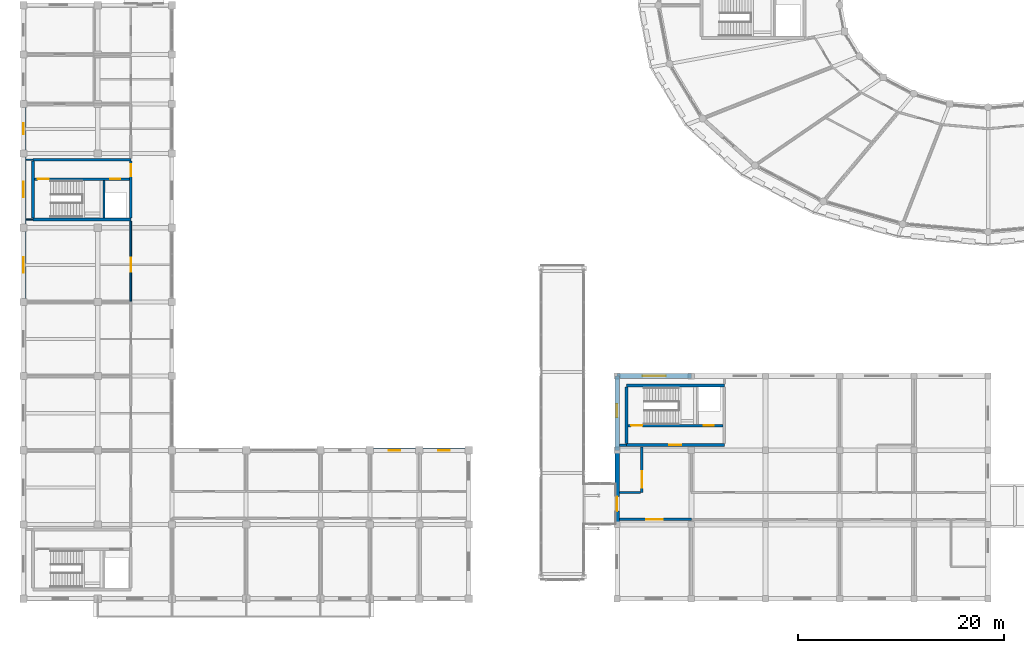
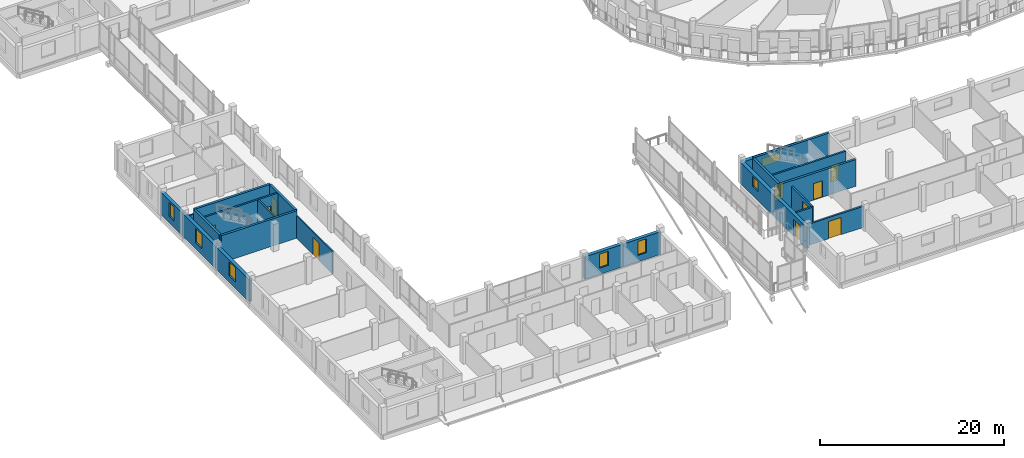
# One storey, part 108 of 128: 25 walls, 10 doors, 7 windows, 17 openings.
"""IFC4 building model written with IfcOpenShell, lengths in metres."""

from ifc_helpers import new_model, si_unit, direction, frame, frame_2d, origin, place, context, subcontext, project, spatial, rectangle, extrude, material, layer, layer_set, type_object, element, fill, save


model = new_model("IFC4")

# Units and contexts
model_context = context("Model", 3, precision=1e-05, world=origin(), true_north=direction((0.0, 1.0)))
body_context = subcontext(model_context, "Body", "Model", "MODEL_VIEW")
ifc_project = project(units=[si_unit("LENGTHUNIT", "METRE"), si_unit("AREAUNIT", "SQUARE_METRE"), si_unit("VOLUMEUNIT", "CUBIC_METRE"), si_unit("PLANEANGLEUNIT", "RADIAN"), si_unit("MASSUNIT", "GRAM", prefix="KILO")], contexts=[model_context])

# Site, building, storey
site_placement = place(None, origin())
site = spatial("IfcSite", under=ifc_project, at=site_placement, CompositionType="ELEMENT")
building_placement = place(site_placement, origin())
building = spatial("IfcBuilding", under=site, at=building_placement, Name="Zornivar Specialist Clinic", CompositionType="ELEMENT")
storey_placement = place(building_placement, frame((0.0, 0.0, 4.5)))
storey = spatial("IfcBuildingStorey", under=building, at=storey_placement, Name="L01", CompositionType="ELEMENT", Elevation=4.5)

# Wall, opening, window
ifc_material_1 = material(Name="Barium-shielded concrete C35/45", Category="concrete")
ifc_layer_1 = layer(ifc_material_1, 0.4599609375)
ifc_layer_set_1 = layer_set([ifc_layer_1], Name="Barium-shielded concrete C35/45")
wall_type_1 = type_object("IfcWallType", Name="EW-IMG-SHIELD-460", PredefinedType="SOLIDWALL", material=ifc_layer_set_1)
wall_1_placement = place(storey_placement, frame((64.800048828125, 21.60009765625, 0.0), z_axis=(0.0, 0.0, 1.0), x_axis=(-1.0, 0.0, 0.0)))
wall_1 = element("IfcWall", 1, at=wall_1_placement, inside=storey, type_object=wall_type_1, Name="ew:V3:L01:12", PredefinedType="SOLIDWALL", context=body_context, shape_type="SweptSolid", body=[
    extrude(rectangle(XDim=7.199951171875, YDim=0.4599609375, at=frame_2d((3.60009765625, 0.0))), origin(), (0.0, 0.0, 1.0), 2.830078125),
])
opening_1_placement = place(wall_1_placement, frame((2.5, 0.0, 1.199951171875)))
opening_1 = element("IfcOpeningElement", 2, at=opening_1_placement, cuts=wall_1, Name="Opening W-13", PredefinedType="OPENING", context=body_context, shape_type="SweptSolid", body=[
    extrude(rectangle(XDim=2.199951171875, YDim=1.10009765625, at=frame_2d((1.10009765625, 0.550048828125))), frame((0.0, 0.239990234375, 0.0), z_axis=(0.0, -1.0, 0.0), x_axis=(1.0, 0.0, 0.0)), (0.0, 0.0, 1.0), 0.47998046875),
])
ifc_material_2 = material(Name="Triple-Glazed Aluminium-Timber Window Glass", Category="wood")
window_type_1 = type_object("IfcWindowType", Name="WIN-IMG-CLER-2200x1100", PartitioningType="SINGLE_PANEL", PredefinedType="WINDOW", material=ifc_material_2)
window_1_placement = place(opening_1_placement, origin())
window_1 = element("IfcWindow", 3, at=window_1_placement, inside=storey, type_object=window_type_1, Name="win:V3:L01:12", OverallHeight=1.10009765625, OverallWidth=2.199951171875, PartitioningType="SINGLE_PANEL", PredefinedType="WINDOW", context=body_context, shape_type="SweptSolid", body=[
    extrude(rectangle(XDim=2.199951171875, YDim=1.10009765625, at=frame_2d((1.10009765625, 0.550048828125))), frame((0.0, 0.030029296875, 0.0), z_axis=(0.0, -1.0, 0.0), x_axis=(1.0, 0.0, 0.0)), (0.0, 0.0, 1.0), 0.06005859375),
])
fill(opening_1, window_1)

wall_2_placement = place(storey_placement, frame((57.60009765625, 21.60009765625, 0.0), z_axis=(0.0, 0.0, 1.0), x_axis=(0.0, -1.0, 0.0)))
wall_2 = element("IfcWall", 4, at=wall_2_placement, inside=storey, type_object=wall_type_1, Name="ew:V3:L01:13", PredefinedType="SOLIDWALL", context=body_context, shape_type="SweptSolid", body=[
    extrude(rectangle(XDim=7.2001953125, YDim=0.4599609375, at=frame_2d((3.60009765625, 0.0))), origin(), (0.0, 0.0, 1.0), 2.830078125),
])
opening_2_placement = place(wall_2_placement, frame((2.72509765625, 0.0, 1.199951171875)))
opening_2 = element("IfcOpeningElement", 5, at=opening_2_placement, cuts=wall_2, Name="Opening W-14", PredefinedType="OPENING", context=body_context, shape_type="SweptSolid", body=[
    extrude(rectangle(XDim=1.25, YDim=1.35009765625, at=frame_2d((0.625, 0.675048828125))), frame((0.0, 0.239990234375, 0.0), z_axis=(0.0, -1.0, 0.0), x_axis=(1.0, 0.0, 0.0)), (0.0, 0.0, 1.0), 0.47998046875),
])
ifc_material_3 = material(Name="Triple-Glazed Aluminium-Timber Window Glass", Category="wood")
window_type_2 = type_object("IfcWindowType", Name="WIN-IMG-CTRL-1250x1350", PartitioningType="SINGLE_PANEL", PredefinedType="WINDOW", material=ifc_material_3)
window_2_placement = place(opening_2_placement, origin())
window_2 = element("IfcWindow", 6, at=window_2_placement, inside=storey, type_object=window_type_2, Name="win:V3:L01:13", OverallHeight=1.35009765625, OverallWidth=1.25, PartitioningType="SINGLE_PANEL", PredefinedType="WINDOW", context=body_context, shape_type="SweptSolid", body=[
    extrude(rectangle(XDim=1.25, YDim=1.35009765625, at=frame_2d((0.625, 0.675048828125))), frame((0.0, 0.030029296875, 0.0), z_axis=(0.0, -1.0, 0.0), x_axis=(1.0, 0.0, 0.0)), (0.0, 0.0, 1.0), 0.06005859375),
])
fill(opening_2, window_2)

# Wall, opening, door
wall_3_placement = place(storey_placement, frame((57.60009765625, 14.39990234375, 0.0), z_axis=(0.0, 0.0, 1.0), x_axis=(0.0, -1.0, 0.0)))
wall_3 = element("IfcWall", 7, at=wall_3_placement, inside=storey, type_object=wall_type_1, Name="ew:V3:L01:14", PredefinedType="SOLIDWALL", context=body_context, shape_type="SweptSolid", body=[
    extrude(rectangle(XDim=7.199951171875, YDim=0.4599609375, at=frame_2d((3.60009765625, 0.0))), origin(), (0.0, 0.0, 1.0), 2.830078125),
])
opening_3_placement = place(wall_3_placement, frame((4.5, 0.0, 0.0)))
opening_3 = element("IfcOpeningElement", 8, at=opening_3_placement, cuts=wall_3, Name="Opening TD-01", PredefinedType="OPENING", context=body_context, shape_type="SweptSolid", body=[
    extrude(rectangle(XDim=1.39990234375, YDim=2.25, at=frame_2d((0.699951171875, 1.125))), frame((0.0, 0.239990234375, 0.0), z_axis=(0.0, -1.0, 0.0), x_axis=(1.0, 0.0, 0.0)), (0.0, 0.0, 1.0), 0.47998046875),
])
ifc_material_4 = material(Name="Thermally Broken Glazed Aluminium Door", Category="aluminium")
door_type_1 = type_object("IfcDoorType", Name="TD-TERR-1400x2250", OperationType="NOTDEFINED", PredefinedType="DOOR", material=ifc_material_4)
door_1_placement = place(opening_3_placement, origin())
door_1 = element("IfcDoor", 9, at=door_1_placement, inside=storey, type_object=door_type_1, Name="door:V3:L01:br1", OperationType="SINGLE_SWING_RIGHT", OverallHeight=2.25, OverallWidth=1.39990234375, PredefinedType="DOOR", context=body_context, shape_type="SweptSolid", body=[
    extrude(rectangle(XDim=1.39990234375, YDim=2.25, at=frame_2d((0.699951171875, 1.125))), frame((0.0, 0.02490234375, 0.0), z_axis=(0.0, -1.0, 0.0), x_axis=(1.0, 0.0, 0.0)), (0.0, 0.0, 1.0), 0.050048828125),
])
fill(opening_3, door_1)

# Wall, opening, window
ifc_material_5 = material(Name="Masonry Vratsa Limestone Ashlar Cavity Wall", Category="masonry")
ifc_layer_2 = layer(ifc_material_5, 0.419921875)
ifc_layer_set_2 = layer_set([ifc_layer_2], Name="Masonry Vratsa Limestone Ashlar Cavity Wall")
wall_type_2 = type_object("IfcWallType", Name="EW-LIMESTONE-420", PredefinedType="SOLIDWALL", material=ifc_layer_set_2)
wall_4_placement = place(storey_placement, frame((43.199951171875, 14.39990234375, 0.0), z_axis=(0.0, 0.0, 1.0), x_axis=(-1.0, 0.0, 0.0)))
wall_4 = element("IfcWall", 10, at=wall_4_placement, inside=storey, type_object=wall_type_2, Name="ew:V2:L01:09", PredefinedType="SOLIDWALL", context=body_context, shape_type="SweptSolid", body=[
    extrude(rectangle(XDim=4.800048828125, YDim=0.419921875, at=frame_2d((2.39990234375, 0.0))), origin(), (0.0, 0.0, 1.0), 3.0),
])
opening_4_placement = place(wall_4_placement, frame((1.85009765625, 0.0, 0.85009765625)))
opening_4 = element("IfcOpeningElement", 11, at=opening_4_placement, cuts=wall_4, Name="Opening W-07", PredefinedType="OPENING", context=body_context, shape_type="SweptSolid", body=[
    extrude(rectangle(XDim=1.10009765625, YDim=1.85009765625, at=frame_2d((0.550048828125, 0.925048828125))), frame((0.0, 0.219970703125, 0.0), z_axis=(0.0, -1.0, 0.0), x_axis=(1.0, 0.0, 0.0)), (0.0, 0.0, 1.0), 0.43994140625),
])
ifc_material_6 = material(Name="Triple-Glazed Aluminium-Timber Window Glass", Category="wood")
window_type_3 = type_object("IfcWindowType", Name="WIN-OUTP-PIER-1100x1850", PartitioningType="SINGLE_PANEL", PredefinedType="WINDOW", material=ifc_material_6)
window_3_placement = place(opening_4_placement, origin())
window_3 = element("IfcWindow", 12, at=window_3_placement, inside=storey, type_object=window_type_3, Name="win:V2:L01:09", OverallHeight=1.85009765625, OverallWidth=1.10009765625, PartitioningType="SINGLE_PANEL", PredefinedType="WINDOW", context=body_context, shape_type="SweptSolid", body=[
    extrude(rectangle(XDim=1.10009765625, YDim=1.85009765625, at=frame_2d((0.550048828125, 0.925048828125))), frame((0.0, 0.030029296875, 0.0), z_axis=(0.0, -1.0, 0.0), x_axis=(1.0, 0.0, 0.0)), (0.0, 0.0, 1.0), 0.06005859375),
])
fill(opening_4, window_3)

wall_5_placement = place(storey_placement, frame((38.39990234375, 14.39990234375, 0.0), z_axis=(0.0, 0.0, 1.0), x_axis=(-1.0, 0.0, 0.0)))
wall_5 = element("IfcWall", 13, at=wall_5_placement, inside=storey, type_object=wall_type_2, Name="ew:V2:L01:10", PredefinedType="SOLIDWALL", context=body_context, shape_type="SweptSolid", body=[
    extrude(rectangle(XDim=4.7998046875, YDim=0.419921875, at=frame_2d((2.39990234375, 0.0))), origin(), (0.0, 0.0, 1.0), 3.0),
])
opening_5_placement = place(wall_5_placement, frame((1.85009765625, 0.0, 0.85009765625)))
opening_5 = element("IfcOpeningElement", 14, at=opening_5_placement, cuts=wall_5, Name="Opening W-07", PredefinedType="OPENING", context=body_context, shape_type="SweptSolid", body=[
    extrude(rectangle(XDim=1.10009765625, YDim=1.85009765625, at=frame_2d((0.550048828125, 0.925048828125))), frame((0.0, 0.219970703125, 0.0), z_axis=(0.0, -1.0, 0.0), x_axis=(1.0, 0.0, 0.0)), (0.0, 0.0, 1.0), 0.43994140625),
])
window_4_placement = place(opening_5_placement, origin())
window_4 = element("IfcWindow", 15, at=window_4_placement, inside=storey, type_object=window_type_3, Name="win:V2:L01:10", OverallHeight=1.85009765625, OverallWidth=1.10009765625, PartitioningType="SINGLE_PANEL", PredefinedType="WINDOW", context=body_context, shape_type="SweptSolid", body=[
    extrude(rectangle(XDim=1.10009765625, YDim=1.85009765625, at=frame_2d((0.550048828125, 0.925048828125))), frame((0.0, 0.030029296875, 0.0), z_axis=(0.0, -1.0, 0.0), x_axis=(1.0, 0.0, 0.0)), (0.0, 0.0, 1.0), 0.06005859375),
])
fill(opening_5, window_4)

wall_6_placement = place(storey_placement, frame((0.0, 48.0, 0.0), z_axis=(0.0, 0.0, 1.0), x_axis=(0.0, -1.0, 0.0)))
wall_6 = element("IfcWall", 16, at=wall_6_placement, inside=storey, type_object=wall_type_2, Name="ew:V2:L01:25", PredefinedType="SOLIDWALL", context=body_context, shape_type="SweptSolid", body=[
    extrude(rectangle(XDim=4.800048828125, YDim=0.419921875, at=frame_2d((2.39990234375, 0.0))), origin(), (0.0, 0.0, 1.0), 3.0),
])
opening_6_placement = place(wall_6_placement, frame((1.85009765625, 0.0, 0.85009765625)))
opening_6 = element("IfcOpeningElement", 17, at=opening_6_placement, cuts=wall_6, Name="Opening W-07", PredefinedType="OPENING", context=body_context, shape_type="SweptSolid", body=[
    extrude(rectangle(XDim=1.10009765625, YDim=1.85009765625, at=frame_2d((0.550048828125, 0.925048828125))), frame((0.0, 0.219970703125, 0.0), z_axis=(0.0, -1.0, 0.0), x_axis=(1.0, 0.0, 0.0)), (0.0, 0.0, 1.0), 0.43994140625),
])
window_5_placement = place(opening_6_placement, origin())
window_5 = element("IfcWindow", 18, at=window_5_placement, inside=storey, type_object=window_type_3, Name="win:V2:L01:25", OverallHeight=1.85009765625, OverallWidth=1.10009765625, PartitioningType="SINGLE_PANEL", PredefinedType="WINDOW", context=body_context, shape_type="SweptSolid", body=[
    extrude(rectangle(XDim=1.10009765625, YDim=1.85009765625, at=frame_2d((0.550048828125, 0.925048828125))), frame((0.0, 0.030029296875, 0.0), z_axis=(0.0, -1.0, 0.0), x_axis=(1.0, 0.0, 0.0)), (0.0, 0.0, 1.0), 0.06005859375),
])
fill(opening_6, window_5)

wall_7_placement = place(storey_placement, frame((0.0, 43.199951171875, 0.0), z_axis=(0.0, 0.0, 1.0), x_axis=(0.0, -1.0, 0.0)))
wall_7 = element("IfcWall", 19, at=wall_7_placement, inside=storey, type_object=wall_type_2, Name="ew:V2:L01:26", PredefinedType="SOLIDWALL", context=body_context, shape_type="SweptSolid", body=[
    extrude(rectangle(XDim=7.199951171875, YDim=0.419921875, at=frame_2d((3.60009765625, 0.0))), origin(), (0.0, 0.0, 1.0), 3.0),
])
opening_7_placement = place(wall_7_placement, frame((2.75, 0.0, 0.85009765625)))
opening_7 = element("IfcOpeningElement", 20, at=opening_7_placement, cuts=wall_7, Name="Opening W-05", PredefinedType="OPENING", context=body_context, shape_type="SweptSolid", body=[
    extrude(rectangle(XDim=1.5, YDim=1.89990234375, at=frame_2d((0.75, 0.949951171875))), frame((0.0, 0.219970703125, 0.0), z_axis=(0.0, -1.0, 0.0), x_axis=(1.0, 0.0, 0.0)), (0.0, 0.0, 1.0), 0.43994140625),
])
ifc_material_7 = material(Name="Triple-Glazed Aluminium-Timber Window Glass", Category="wood")
window_type_4 = type_object("IfcWindowType", Name="WIN-OUTP-STREET-1500x1900", PartitioningType="SINGLE_PANEL", PredefinedType="WINDOW", material=ifc_material_7)
window_6_placement = place(opening_7_placement, origin())
window_6 = element("IfcWindow", 21, at=window_6_placement, inside=storey, type_object=window_type_4, Name="win:V2:L01:26", OverallHeight=1.89990234375, OverallWidth=1.5, PartitioningType="SINGLE_PANEL", PredefinedType="WINDOW", context=body_context, shape_type="SweptSolid", body=[
    extrude(rectangle(XDim=1.5, YDim=1.89990234375, at=frame_2d((0.75, 0.949951171875))), frame((0.0, 0.030029296875, 0.0), z_axis=(0.0, -1.0, 0.0), x_axis=(1.0, 0.0, 0.0)), (0.0, 0.0, 1.0), 0.06005859375),
])
fill(opening_7, window_6)

wall_8_placement = place(storey_placement, frame((0.0, 36.0, 0.0), z_axis=(0.0, 0.0, 1.0), x_axis=(0.0, -1.0, 0.0)))
wall_8 = element("IfcWall", 22, at=wall_8_placement, inside=storey, type_object=wall_type_2, Name="ew:V2:L01:27", PredefinedType="SOLIDWALL", context=body_context, shape_type="SweptSolid", body=[
    extrude(rectangle(XDim=7.199951171875, YDim=0.419921875, at=frame_2d((3.60009765625, 0.0))), origin(), (0.0, 0.0, 1.0), 3.0),
])
opening_8_placement = place(wall_8_placement, frame((2.85009765625, 0.0, 0.85009765625)))
opening_8 = element("IfcOpeningElement", 23, at=opening_8_placement, cuts=wall_8, Name="Opening W-05", PredefinedType="OPENING", context=body_context, shape_type="SweptSolid", body=[
    extrude(rectangle(XDim=1.5, YDim=1.89990234375, at=frame_2d((0.75, 0.949951171875))), frame((0.0, 0.219970703125, 0.0), z_axis=(0.0, -1.0, 0.0), x_axis=(1.0, 0.0, 0.0)), (0.0, 0.0, 1.0), 0.43994140625),
])
window_7_placement = place(opening_8_placement, origin())
window_7 = element("IfcWindow", 24, at=window_7_placement, inside=storey, type_object=window_type_4, Name="win:V2:L01:27", OverallHeight=1.89990234375, OverallWidth=1.5, PartitioningType="SINGLE_PANEL", PredefinedType="WINDOW", context=body_context, shape_type="SweptSolid", body=[
    extrude(rectangle(XDim=1.5, YDim=1.89990234375, at=frame_2d((0.75, 0.949951171875))), frame((0.0, 0.030029296875, 0.0), z_axis=(0.0, -1.0, 0.0), x_axis=(1.0, 0.0, 0.0)), (0.0, 0.0, 1.0), 0.06005859375),
])
fill(opening_8, window_7)

# Wall
ifc_material_8 = material(Name="Acoustic Clinical Stud Partition")
ifc_layer_3 = layer(ifc_material_8, 0.139892578125)
ifc_layer_set_3 = layer_set([ifc_layer_3], Name="Acoustic Clinical Stud Partition")
wall_type_3 = type_object("IfcWallType", Name="IW-CLIN-140", PredefinedType="PARTITIONING", material=ifc_layer_set_3)
wall_9_placement = place(storey_placement, frame((0.89990234375, 42.60009765625, 0.0), z_axis=(0.0, 0.0, 1.0), x_axis=(-1.0, 0.0, 0.0)))
element("IfcWall", 25, at=wall_9_placement, inside=storey, type_object=wall_type_3, Name="iw:L01:061", PredefinedType="PARTITIONING", context=body_context, shape_type="SweptSolid", body=[
    extrude(rectangle(XDim=0.6748046875, YDim=0.139892578125, at=frame_2d((0.33740234375, 0.0))), origin(), (0.0, 0.0, 1.0), 2.97998046875),
])

# Wall, opening, door
ifc_material_9 = material(Name="Gypsum Fire-Rated Double Stud Partition")
ifc_layer_4 = layer(ifc_material_9, 0.159912109375)
ifc_layer_set_4 = layer_set([ifc_layer_4], Name="Gypsum Fire-Rated Double Stud Partition")
wall_type_4 = type_object("IfcWallType", Name="IW-CORR-EI60-160", PredefinedType="PARTITIONING", material=ifc_layer_set_4)
wall_10_placement = place(storey_placement, frame((10.39990234375, 36.64501953125, 0.0), z_axis=(0.0, 0.0, 1.0), x_axis=(0.0, -1.0, 0.0)))
wall_10 = element("IfcWall", 26, at=wall_10_placement, inside=storey, type_object=wall_type_4, Name="iw:L01:058", PredefinedType="PARTITIONING", context=body_context, shape_type="SweptSolid", body=[
    extrude(rectangle(XDim=7.77099609375, YDim=0.159912109375, at=frame_2d((3.885498046875, 0.0))), origin(), (0.0, 0.0, 1.0), 2.97998046875),
])
opening_9_placement = place(wall_10_placement, frame((3.5380859375, 0.0, 0.0)))
opening_9 = element("IfcOpeningElement", 27, at=opening_9_placement, cuts=wall_10, Name="Opening ID-12", PredefinedType="OPENING", context=body_context, shape_type="SweptSolid", body=[
    extrude(rectangle(XDim=1.39990234375, YDim=2.300048828125, at=frame_2d((0.699951171875, 1.14990234375))), frame((0.0, 0.08984375, 0.0), z_axis=(0.0, -1.0, 0.0), x_axis=(1.0, 0.0, 0.0)), (0.0, 0.0, 1.0), 0.179931640625),
])
ifc_material_10 = material(Name="Solid-Core Hygienic Laminate Timber Door", Category="wood")
door_type_2 = type_object("IfcDoorType", Name="ID-WAIT-1400x2300", OperationType="NOTDEFINED", PredefinedType="DOOR", material=ifc_material_10)
door_2_placement = place(opening_9_placement, origin())
door_2 = element("IfcDoor", 28, at=door_2_placement, inside=storey, type_object=door_type_2, Name="door:space:V2:L01:rm:03", OperationType="DOUBLE_DOOR_SINGLE_SWING", OverallHeight=2.300048828125, OverallWidth=1.39990234375, PredefinedType="DOOR", context=body_context, shape_type="SweptSolid", body=[
    extrude(rectangle(XDim=1.39990234375, YDim=2.300048828125, at=frame_2d((0.699951171875, 1.14990234375))), frame((0.0, 0.02490234375, 0.0), z_axis=(0.0, -1.0, 0.0), x_axis=(1.0, 0.0, 0.0)), (0.0, 0.0, 1.0), 0.050048828125),
])
fill(opening_9, door_2)

# Wall
ifc_material_11 = material(Name="Acoustic Glazed Consultation Partition")
ifc_layer_5 = layer(ifc_material_11, 0.1201171875)
ifc_layer_set_5 = layer_set([ifc_layer_5], Name="Acoustic Glazed Consultation Partition")
wall_type_5 = type_object("IfcWallType", Name="IW-GLAZ-120", PredefinedType="PARTITIONING", material=ifc_layer_set_5)
wall_11_placement = place(storey_placement, frame((0.22509765625, 36.800048828125, 0.0), z_axis=(0.0, 0.0, 1.0), x_axis=(1.0, 0.0, 0.0)))
element("IfcWall", 29, at=wall_11_placement, inside=storey, type_object=wall_type_5, Name="iw:L01:059", PredefinedType="PARTITIONING", context=body_context, shape_type="SweptSolid", body=[
    extrude(rectangle(XDim=0.6748046875, YDim=0.1201171875, at=frame_2d((0.33740234375, 0.0))), origin(), (0.0, 0.0, 1.0), 2.97998046875),
])

# Wall, opening, door
ifc_material_12 = material(Name="Barium-Plaster Shielded Diagnostic Partition")
ifc_layer_6 = layer(ifc_material_12, 0.22998046875)
ifc_layer_set_6 = layer_set([ifc_layer_6], Name="Barium-Plaster Shielded Diagnostic Partition")
wall_type_6 = type_object("IfcWallType", Name="IW-IMG-LEAD-230", PredefinedType="PARTITIONING", material=ifc_layer_set_6)
wall_12_placement = place(storey_placement, frame((57.844970703125, 7.699951171875, 0.0), z_axis=(0.0, 0.0, 1.0), x_axis=(1.0, 0.0, 0.0)))
wall_12 = element("IfcWall", 30, at=wall_12_placement, inside=storey, type_object=wall_type_6, Name="iw:L01:091", PredefinedType="PARTITIONING", context=body_context, shape_type="SweptSolid", body=[
    extrude(rectangle(XDim=6.955078125, YDim=0.22998046875, at=frame_2d((3.4775390625, 0.0))), origin(), (0.0, 0.0, 1.0), 2.81005859375),
])
opening_10_placement = place(wall_12_placement, frame((2.56201171875, 0.0, 0.0)))
opening_10 = element("IfcOpeningElement", 31, at=opening_10_placement, cuts=wall_12, Name="Opening ID-02", PredefinedType="OPENING", context=body_context, shape_type="SweptSolid", body=[
    extrude(rectangle(XDim=1.60009765625, YDim=2.300048828125, at=frame_2d((0.800048828125, 1.14990234375))), frame((0.0, 0.125, 0.0), z_axis=(0.0, -1.0, 0.0), x_axis=(1.0, 0.0, 0.0)), (0.0, 0.0, 1.0), 0.25),
])
ifc_material_13 = material(Name="Solid-Core Hygienic Laminate Timber Door", Category="wood")
door_type_3 = type_object("IfcDoorType", Name="ID-IMG-1600x2300", OperationType="NOTDEFINED", PredefinedType="DOOR", material=ifc_material_13)
door_3_placement = place(opening_10_placement, origin())
door_3 = element("IfcDoor", 32, at=door_3_placement, inside=storey, type_object=door_type_3, Name="door:space:V3:L01:rm:00", OperationType="DOUBLE_DOOR_SINGLE_SWING", OverallHeight=2.300048828125, OverallWidth=1.60009765625, PredefinedType="DOOR", context=body_context, shape_type="SweptSolid", body=[
    extrude(rectangle(XDim=1.60009765625, YDim=2.300048828125, at=frame_2d((0.800048828125, 1.14990234375))), frame((0.0, 0.02490234375, 0.0), z_axis=(0.0, -1.0, 0.0), x_axis=(1.0, 0.0, 0.0)), (0.0, 0.0, 1.0), 0.050048828125),
])
fill(opening_10, door_3)

# Wall
wall_13_placement = place(storey_placement, frame((57.844970703125, 14.89990234375, 0.0), z_axis=(0.0, 0.0, 1.0), x_axis=(1.0, 0.0, 0.0)))
element("IfcWall", 33, at=wall_13_placement, inside=storey, type_object=wall_type_6, Name="iw:L01:093", PredefinedType="PARTITIONING", context=body_context, shape_type="SweptSolid", body=[
    extrude(rectangle(XDim=0.655029296875, YDim=0.22998046875, at=frame_2d((0.32763671875, 0.0))), origin(), (0.0, 0.0, 1.0), 2.81005859375),
])

# Wall, opening, door
wall_14_placement = place(storey_placement, frame((60.0, 14.7451171875, 0.0), z_axis=(0.0, 0.0, 1.0), x_axis=(0.0, -1.0, 0.0)))
wall_14 = element("IfcWall", 34, at=wall_14_placement, inside=storey, type_object=wall_type_6, Name="iw:L01:094", PredefinedType="PARTITIONING", context=body_context, shape_type="SweptSolid", body=[
    extrude(rectangle(XDim=4.445068359375, YDim=0.22998046875, at=frame_2d((2.22265625, 0.0))), origin(), (0.0, 0.0, 1.0), 2.81005859375),
])
opening_11_placement = place(wall_14_placement, frame((2.364990234375, 0.0, 0.0)))
opening_11 = element("IfcOpeningElement", 35, at=opening_11_placement, cuts=wall_14, Name="Opening ID-02", PredefinedType="OPENING", context=body_context, shape_type="SweptSolid", body=[
    extrude(rectangle(XDim=1.60009765625, YDim=2.300048828125, at=frame_2d((0.800048828125, 1.14990234375))), frame((0.0, 0.125, 0.0), z_axis=(0.0, -1.0, 0.0), x_axis=(1.0, 0.0, 0.0)), (0.0, 0.0, 1.0), 0.25),
])
door_4_placement = place(opening_11_placement, origin())
door_4 = element("IfcDoor", 36, at=door_4_placement, inside=storey, type_object=door_type_3, Name="door:space:V3:L01:rm:01", OperationType="DOUBLE_DOOR_SINGLE_SWING", OverallHeight=2.300048828125, OverallWidth=1.60009765625, PredefinedType="DOOR", context=body_context, shape_type="SweptSolid", body=[
    extrude(rectangle(XDim=1.60009765625, YDim=2.300048828125, at=frame_2d((0.800048828125, 1.14990234375))), frame((0.0, 0.02490234375, 0.0), z_axis=(0.0, -1.0, 0.0), x_axis=(1.0, 0.0, 0.0)), (0.0, 0.0, 1.0), 0.050048828125),
])
fill(opening_11, door_4)

# Walls
wall_15_placement = place(storey_placement, frame((59.87109375, 10.300048828125, 0.0), z_axis=(0.0, 0.0, 1.0), x_axis=(-1.0, 0.0, 0.0)))
element("IfcWall", 37, at=wall_15_placement, inside=storey, type_object=wall_type_6, Name="iw:L01:095", PredefinedType="PARTITIONING", context=body_context, shape_type="SweptSolid", body=[
    extrude(rectangle(XDim=2.026123046875, YDim=0.22998046875, at=frame_2d((1.01318359375, 0.0))), origin(), (0.0, 0.0, 1.0), 2.81005859375),
])
ifc_material_14 = material(Name="Concrete C35/45", Category="concrete")
ifc_layer_7 = layer(ifc_material_14, 0.280029296875)
ifc_layer_set_7 = layer_set([ifc_layer_7], Name="Concrete C35/45")
wall_type_7 = type_object("IfcWallType", Name="SW-CORE-280", PredefinedType="SHEAR", material=ifc_layer_set_7)
wall_16_placement = place(storey_placement, frame((0.89990234375, 36.800048828125, 0.0), z_axis=(0.0, 0.0, 1.0), x_axis=(1.0, 0.0, 0.0)))
element("IfcWall", 38, at=wall_16_placement, inside=storey, type_object=wall_type_7, Name="sw:C2:L01:w0", PredefinedType="SHEAR", context=body_context, shape_type="SweptSolid", body=[
    extrude(rectangle(XDim=9.5, YDim=0.280029296875, at=frame_2d((4.75, 0.0))), origin(), (0.0, 0.0, 1.0), 3.6201171875),
])

# Wall, opening, door
wall_17_placement = place(storey_placement, frame((10.39990234375, 36.93994140625, 0.0), z_axis=(0.0, 0.0, 1.0), x_axis=(0.0, 1.0, 0.0)))
wall_17 = element("IfcWall", 39, at=wall_17_placement, inside=storey, type_object=wall_type_7, Name="sw:C2:L01:w1", PredefinedType="SHEAR", context=body_context, shape_type="SweptSolid", body=[
    extrude(rectangle(XDim=5.52001953125, YDim=0.280029296875, at=frame_2d((2.760009765625, 0.0))), origin(), (0.0, 0.0, 1.0), 3.6201171875),
])
opening_12_placement = place(wall_17_placement, frame((4.050048828125, 0.0, 0.0)))
opening_12 = element("IfcOpeningElement", 40, at=opening_12_placement, cuts=wall_17, Name="Opening FD-03", PredefinedType="OPENING", context=body_context, shape_type="SweptSolid", body=[
    extrude(rectangle(XDim=1.14990234375, YDim=2.199951171875, at=frame_2d((0.574951171875, 1.10009765625))), frame((0.0, 0.14990234375, 0.0), z_axis=(0.0, -1.0, 0.0), x_axis=(1.0, 0.0, 0.0)), (0.0, 0.0, 1.0), 0.300048828125),
])
ifc_material_15 = material(Name="Solid-Core Hygienic Laminate Timber Door", Category="wood")
door_type_4 = type_object("IfcDoorType", Name="FD-LOBBY-UPPER-1150x2200", OperationType="NOTDEFINED", PredefinedType="DOOR", material=ifc_material_15)
door_5_placement = place(opening_12_placement, origin())
door_5 = element("IfcDoor", 41, at=door_5_placement, inside=storey, type_object=door_type_4, Name="door:C2:L01:lob", OperationType="SINGLE_SWING_RIGHT", OverallHeight=2.199951171875, OverallWidth=1.14990234375, PredefinedType="DOOR", context=body_context, shape_type="SweptSolid", body=[
    extrude(rectangle(XDim=1.14990234375, YDim=2.199951171875, at=frame_2d((0.574951171875, 1.10009765625))), frame((0.0, 0.02490234375, 0.0), z_axis=(0.0, -1.0, 0.0), x_axis=(1.0, 0.0, 0.0)), (0.0, 0.0, 1.0), 0.050048828125),
])
fill(opening_12, door_5)

# Walls
wall_18_placement = place(storey_placement, frame((10.39990234375, 42.60009765625, 0.0), z_axis=(0.0, 0.0, 1.0), x_axis=(-1.0, 0.0, 0.0)))
element("IfcWall", 42, at=wall_18_placement, inside=storey, type_object=wall_type_7, Name="sw:C2:L01:w2", PredefinedType="SHEAR", context=body_context, shape_type="SweptSolid", body=[
    extrude(rectangle(XDim=9.5, YDim=0.280029296875, at=frame_2d((4.75, 0.0))), origin(), (0.0, 0.0, 1.0), 3.6201171875),
])
wall_19_placement = place(storey_placement, frame((0.89990234375, 42.4599609375, 0.0), z_axis=(0.0, 0.0, 1.0), x_axis=(0.0, -1.0, 0.0)))
element("IfcWall", 43, at=wall_19_placement, inside=storey, type_object=wall_type_7, Name="sw:C2:L01:w3", PredefinedType="SHEAR", context=body_context, shape_type="SweptSolid", body=[
    extrude(rectangle(XDim=5.52001953125, YDim=0.280029296875, at=frame_2d((2.760009765625, 0.0))), origin(), (0.0, 0.0, 1.0), 3.6201171875),
])

# Wall, opening, door
wall_20_placement = place(storey_placement, frame((58.5, 14.89990234375, 0.0), z_axis=(0.0, 0.0, 1.0), x_axis=(1.0, 0.0, 0.0)))
wall_20 = element("IfcWall", 44, at=wall_20_placement, inside=storey, type_object=wall_type_7, Name="sw:C5:L01:w0", PredefinedType="SHEAR", context=body_context, shape_type="SweptSolid", body=[
    extrude(rectangle(XDim=9.5, YDim=0.280029296875, at=frame_2d((4.75, 0.0))), origin(), (0.0, 0.0, 1.0), 3.550048828125),
])
opening_13_placement = place(wall_20_placement, frame((4.175048828125, 0.0, 0.0)))
opening_13 = element("IfcOpeningElement", 45, at=opening_13_placement, cuts=wall_20, Name="Opening FD-03", PredefinedType="OPENING", context=body_context, shape_type="SweptSolid", body=[
    extrude(rectangle(XDim=1.14990234375, YDim=2.199951171875, at=frame_2d((0.574951171875, 1.10009765625))), frame((0.0, 0.14990234375, 0.0), z_axis=(0.0, -1.0, 0.0), x_axis=(1.0, 0.0, 0.0)), (0.0, 0.0, 1.0), 0.300048828125),
])
door_6_placement = place(opening_13_placement, origin())
door_6 = element("IfcDoor", 46, at=door_6_placement, inside=storey, type_object=door_type_4, Name="door:C5:L01:lob", OperationType="SINGLE_SWING_RIGHT", OverallHeight=2.199951171875, OverallWidth=1.14990234375, PredefinedType="DOOR", context=body_context, shape_type="SweptSolid", body=[
    extrude(rectangle(XDim=1.14990234375, YDim=2.199951171875, at=frame_2d((0.574951171875, 1.10009765625))), frame((0.0, 0.02490234375, 0.0), z_axis=(0.0, -1.0, 0.0), x_axis=(1.0, 0.0, 0.0)), (0.0, 0.0, 1.0), 0.050048828125),
])
fill(opening_13, door_6)

# Walls
wall_21_placement = place(storey_placement, frame((68.0, 20.699951171875, 0.0), z_axis=(0.0, 0.0, 1.0), x_axis=(-1.0, 0.0, 0.0)))
element("IfcWall", 47, at=wall_21_placement, inside=storey, type_object=wall_type_7, Name="sw:C5:L01:w2", PredefinedType="SHEAR", context=body_context, shape_type="SweptSolid", body=[
    extrude(rectangle(XDim=9.5, YDim=0.280029296875, at=frame_2d((4.75, 0.0))), origin(), (0.0, 0.0, 1.0), 3.550048828125),
])
wall_22_placement = place(storey_placement, frame((58.5, 20.56005859375, 0.0), z_axis=(0.0, 0.0, 1.0), x_axis=(0.0, -1.0, 0.0)))
element("IfcWall", 48, at=wall_22_placement, inside=storey, type_object=wall_type_7, Name="sw:C5:L01:w3", PredefinedType="SHEAR", context=body_context, shape_type="SweptSolid", body=[
    extrude(rectangle(XDim=5.52001953125, YDim=0.280029296875, at=frame_2d((2.760009765625, 0.0))), origin(), (0.0, 0.0, 1.0), 3.550048828125),
])
ifc_material_16 = material(Name="Concrete C30/37", Category="concrete")
ifc_layer_8 = layer(ifc_material_16, 0.199951171875)
ifc_layer_set_8 = layer_set([ifc_layer_8], Name="Concrete C30/37")
wall_type_8 = type_object("IfcWallType", Name="SW-LIFT-200", PredefinedType="SHEAR", material=ifc_layer_set_8)
wall_23_placement = place(storey_placement, frame((7.800048828125, 36.93994140625, 0.0), z_axis=(0.0, 0.0, 1.0), x_axis=(0.0, 1.0, 0.0)))
element("IfcWall", 49, at=wall_23_placement, inside=storey, type_object=wall_type_8, Name="sw:C2:L01:sdiv", PredefinedType="SHEAR", context=body_context, shape_type="SweptSolid", body=[
    extrude(rectangle(XDim=3.66015625, YDim=0.199951171875, at=frame_2d((1.830078125, 0.0))), origin(), (0.0, 0.0, 1.0), 3.6201171875),
])

# Wall, openings, doors
ifc_material_17 = material(Name="Concrete C30/37", Category="concrete")
ifc_layer_9 = layer(ifc_material_17, 0.219970703125)
ifc_layer_set_9 = layer_set([ifc_layer_9], Name="Concrete C30/37")
wall_type_9 = type_object("IfcWallType", Name="SW-SHAFT-220", PredefinedType="SHEAR", material=ifc_layer_set_9)
wall_24_placement = place(storey_placement, frame((1.0400390625, 40.7099609375, 0.0), z_axis=(0.0, 0.0, 1.0), x_axis=(1.0, 0.0, 0.0)))
wall_24 = element("IfcWall", 50, at=wall_24_placement, inside=storey, type_object=wall_type_9, Name="sw:C2:L01:stwall", PredefinedType="SHEAR", context=body_context, shape_type="SweptSolid", body=[
    extrude(rectangle(XDim=9.219970703125, YDim=0.219970703125, at=frame_2d((4.60986328125, 0.0))), origin(), (0.0, 0.0, 1.0), 3.6201171875),
])
opening_14_placement = place(wall_24_placement, frame((0.31005859375, 0.0, 0.0)))
opening_14 = element("IfcOpeningElement", 51, at=opening_14_placement, cuts=wall_24, Name="Opening FD-02", PredefinedType="OPENING", context=body_context, shape_type="SweptSolid", body=[
    extrude(rectangle(XDim=1.10009765625, YDim=2.14990234375, at=frame_2d((0.550048828125, 1.074951171875))), frame((0.0, 0.119873046875, 0.0), z_axis=(0.0, -1.0, 0.0), x_axis=(1.0, 0.0, 0.0)), (0.0, 0.0, 1.0), 0.239990234375),
])
opening_15_placement = place(wall_24_placement, frame((7.360107421875, 0.0, 0.0)))
opening_15 = element("IfcOpeningElement", 52, at=opening_15_placement, cuts=wall_24, Name="Opening LD-02", PredefinedType="OPENING", context=body_context, shape_type="SweptSolid", body=[
    extrude(rectangle(XDim=1.0, YDim=2.199951171875, at=frame_2d((0.5, 1.10009765625))), frame((0.0, 0.119873046875, 0.0), z_axis=(0.0, -1.0, 0.0), x_axis=(1.0, 0.0, 0.0)), (0.0, 0.0, 1.0), 0.239990234375),
])
ifc_material_18 = material(Name="Solid-Core Hygienic Laminate Timber Door", Category="wood")
door_type_5 = type_object("IfcDoorType", Name="FD-STAIR-1100x2150", OperationType="NOTDEFINED", PredefinedType="DOOR", material=ifc_material_18)
door_7_placement = place(opening_14_placement, origin())
door_7 = element("IfcDoor", 53, at=door_7_placement, inside=storey, type_object=door_type_5, Name="door:C2:L01:stair", OperationType="SINGLE_SWING_LEFT", OverallHeight=2.14990234375, OverallWidth=1.10009765625, PredefinedType="DOOR", context=body_context, shape_type="SweptSolid", body=[
    extrude(rectangle(XDim=1.10009765625, YDim=2.14990234375, at=frame_2d((0.550048828125, 1.074951171875))), frame((0.0, 0.02490234375, 0.0), z_axis=(0.0, -1.0, 0.0), x_axis=(1.0, 0.0, 0.0)), (0.0, 0.0, 1.0), 0.050048828125),
])
fill(opening_14, door_7)
ifc_material_19 = material(Name="Stainless Steel Lift Landing Sliding Door", Category="steel")
door_type_6 = type_object("IfcDoorType", Name="LD-LIFT-1000x2200", OperationType="NOTDEFINED", PredefinedType="DOOR", material=ifc_material_19)
door_8_placement = place(opening_15_placement, origin())
door_8 = element("IfcDoor", 54, at=door_8_placement, inside=storey, type_object=door_type_6, Name="door:C2:L01:lift", OperationType="DOUBLE_DOOR_SLIDING", OverallHeight=2.199951171875, OverallWidth=1.0, PredefinedType="DOOR", context=body_context, shape_type="SweptSolid", body=[
    extrude(rectangle(XDim=1.0, YDim=2.199951171875, at=frame_2d((0.5, 1.10009765625))), frame((0.0, 0.02490234375, 0.0), z_axis=(0.0, -1.0, 0.0), x_axis=(1.0, 0.0, 0.0)), (0.0, 0.0, 1.0), 0.050048828125),
])
fill(opening_15, door_8)

wall_25_placement = place(storey_placement, frame((58.639892578125, 16.7900390625, 0.0), z_axis=(0.0, 0.0, 1.0), x_axis=(1.0, 0.0, 0.0)))
wall_25 = element("IfcWall", 55, at=wall_25_placement, inside=storey, type_object=wall_type_9, Name="sw:C5:L01:stwall", PredefinedType="SHEAR", context=body_context, shape_type="SweptSolid", body=[
    extrude(rectangle(XDim=9.22021484375, YDim=0.219970703125, at=frame_2d((4.610107421875, 0.0))), origin(), (0.0, 0.0, 1.0), 3.550048828125),
])
opening_16_placement = place(wall_25_placement, frame((0.31005859375, 0.0, 0.0)))
opening_16 = element("IfcOpeningElement", 56, at=opening_16_placement, cuts=wall_25, Name="Opening FD-02", PredefinedType="OPENING", context=body_context, shape_type="SweptSolid", body=[
    extrude(rectangle(XDim=1.10009765625, YDim=2.14990234375, at=frame_2d((0.550048828125, 1.074951171875))), frame((0.0, 0.119873046875, 0.0), z_axis=(0.0, -1.0, 0.0), x_axis=(1.0, 0.0, 0.0)), (0.0, 0.0, 1.0), 0.239990234375),
])
opening_17_placement = place(wall_25_placement, frame((7.360107421875, 0.0, 0.0)))
opening_17 = element("IfcOpeningElement", 57, at=opening_17_placement, cuts=wall_25, Name="Opening LD-02", PredefinedType="OPENING", context=body_context, shape_type="SweptSolid", body=[
    extrude(rectangle(XDim=1.0, YDim=2.199951171875, at=frame_2d((0.5, 1.10009765625))), frame((0.0, 0.119873046875, 0.0), z_axis=(0.0, -1.0, 0.0), x_axis=(1.0, 0.0, 0.0)), (0.0, 0.0, 1.0), 0.239990234375),
])
door_9_placement = place(opening_16_placement, origin())
door_9 = element("IfcDoor", 58, at=door_9_placement, inside=storey, type_object=door_type_5, Name="door:C5:L01:stair", OperationType="SINGLE_SWING_LEFT", OverallHeight=2.14990234375, OverallWidth=1.10009765625, PredefinedType="DOOR", context=body_context, shape_type="SweptSolid", body=[
    extrude(rectangle(XDim=1.10009765625, YDim=2.14990234375, at=frame_2d((0.550048828125, 1.074951171875))), frame((0.0, 0.02490234375, 0.0), z_axis=(0.0, -1.0, 0.0), x_axis=(1.0, 0.0, 0.0)), (0.0, 0.0, 1.0), 0.050048828125),
])
fill(opening_16, door_9)
door_10_placement = place(opening_17_placement, origin())
door_10 = element("IfcDoor", 59, at=door_10_placement, inside=storey, type_object=door_type_6, Name="door:C5:L01:lift", OperationType="DOUBLE_DOOR_SLIDING", OverallHeight=2.199951171875, OverallWidth=1.0, PredefinedType="DOOR", context=body_context, shape_type="SweptSolid", body=[
    extrude(rectangle(XDim=1.0, YDim=2.199951171875, at=frame_2d((0.5, 1.10009765625))), frame((0.0, 0.02490234375, 0.0), z_axis=(0.0, -1.0, 0.0), x_axis=(1.0, 0.0, 0.0)), (0.0, 0.0, 1.0), 0.050048828125),
])
fill(opening_17, door_10)

save(model, "model.ifc")
